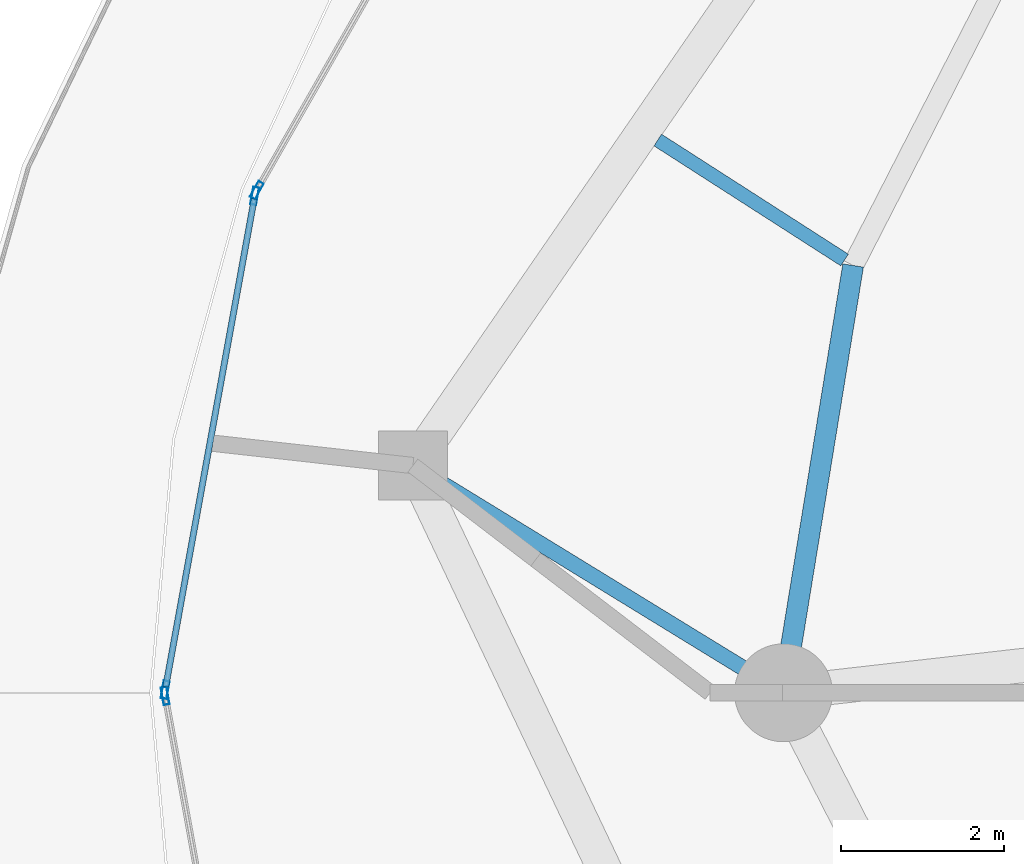
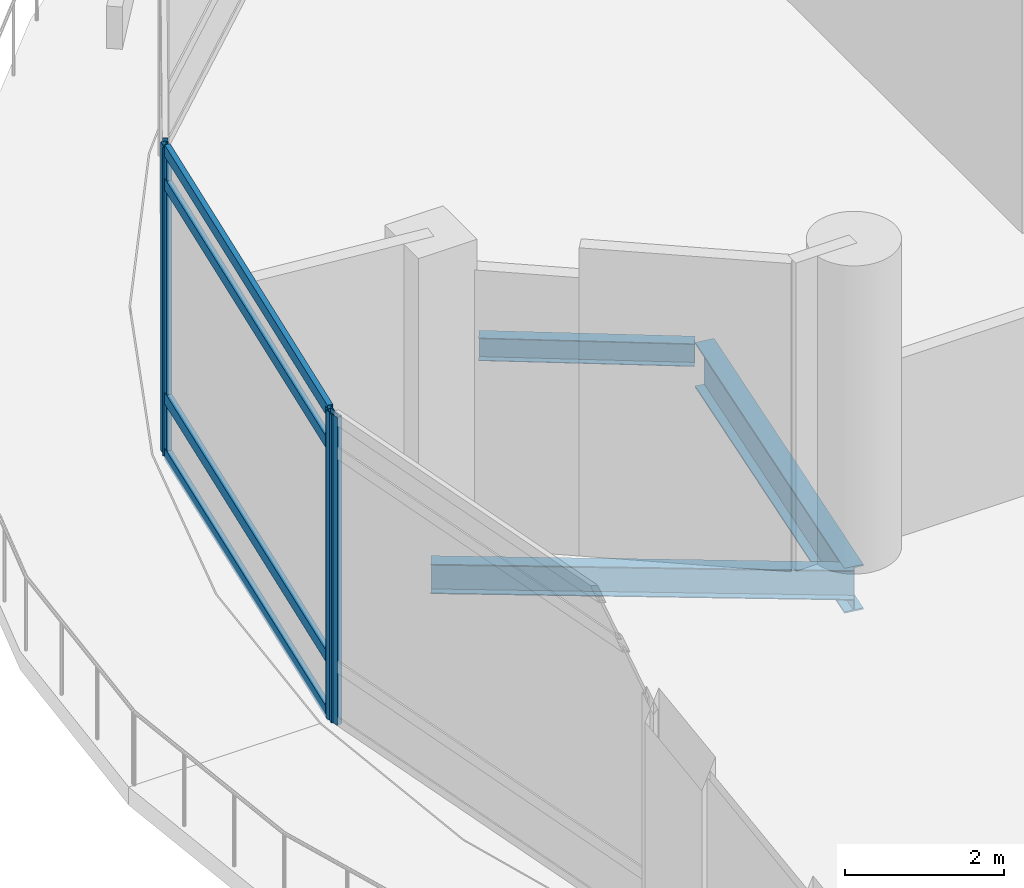
# One storey, part 9 of 34: 8 members, 3 beams, 3 elements without a shape of their own.
"""IFC4 building model written with IfcOpenShell, lengths in metres."""

from ifc_helpers import new_model, si_unit, direction, frame, origin, origin_2d, place, context, subcontext, project, spatial, hollow_rectangle, i_section, extrude, material, layer, layer_set, material_profile, profile_set, type_object, element, aggregate, save


model = new_model("IFC4")

# Units and contexts
model_context = context("Model", 3, precision=1e-05, world=origin(), true_north=direction((0.0, 1.0)))
body_context = subcontext(model_context, "Body", "Model", "MODEL_VIEW")
ifc_project = project(units=[si_unit("LENGTHUNIT", "METRE"), si_unit("AREAUNIT", "SQUARE_METRE"), si_unit("VOLUMEUNIT", "CUBIC_METRE"), si_unit("PLANEANGLEUNIT", "RADIAN"), si_unit("MASSUNIT", "GRAM", prefix="KILO")], contexts=[model_context])

# Site, building, storey
site_placement = place(None, origin())
site = spatial("IfcSite", under=ifc_project, at=site_placement, CompositionType="ELEMENT")
building_placement = place(site_placement, origin())
building = spatial("IfcBuilding", under=site, at=building_placement, Name="Nuhasar Tower", CompositionType="ELEMENT")
storey_placement = place(building_placement, frame((0.0, 0.0, 16.0)))
storey = spatial("IfcBuildingStorey", under=building, at=storey_placement, Name="L03", CompositionType="ELEMENT", Elevation=16.0)

# Beams
ifc_material_1 = material(Name="Steel S355", Category="steel")
ifc_material_profile_1 = material_profile(ifc_material_1, i_section(OverallWidth=0.1708984375, OverallDepth=0.35205078125, WebThickness=0.0068359375, FlangeThickness=0.009765625, at=origin_2d()), Name="W14X30")
ifc_profile_set_1 = profile_set([ifc_material_profile_1], Name="Steel S355")
beam_type_1 = type_object("IfcBeamType", Name="BM-JST-W14X30", PredefinedType="JOIST", material=ifc_profile_set_1)
beam_1_placement = place(storey_placement, frame((14.698974609375, 32.10791015625, -0.47607421875), z_axis=(-0.841446405515, 0.540340583934, 0.0), x_axis=(-0.540340583934, -0.841446405515, 0.0)))
element("IfcBeam", 1, at=beam_1_placement, inside=storey, type_object=beam_type_1, Name="L03 Podium Secondary Joist 14", PredefinedType="JOIST", context=body_context, shape_type="SweptSolid", body=[
    extrude(i_section(OverallWidth=0.1708984375, OverallDepth=0.35205078125, WebThickness=0.0068359375, FlangeThickness=0.009765625, at=origin_2d()), origin(), (0.0, 0.0, 1.0), 2.72265625),
])
ifc_material_profile_2 = material_profile(ifc_material_1, i_section(OverallWidth=0.18994140625, OverallDepth=0.45703125, WebThickness=0.009033203125, FlangeThickness=0.014404296875, at=origin_2d()), Name="W18X50")
ifc_profile_set_2 = profile_set([ifc_material_profile_2], Name="Steel S355")
beam_type_2 = type_object("IfcBeamType", Name="BM-RAD-W18X50", PredefinedType="BEAM", material=ifc_profile_set_2)
beam_2_placement = place(storey_placement, frame((13.949951171875, 26.800048828125, -0.529052734375), z_axis=(-0.852495272032, 0.522734933941, 0.0), x_axis=(-0.522734933941, -0.852495272032, 0.0)))
element("IfcBeam", 2, at=beam_2_placement, inside=storey, type_object=beam_type_2, Name="L03 Podium Radial Girder 08", PredefinedType="BEAM", context=body_context, shape_type="SweptSolid", body=[
    extrude(i_section(OverallWidth=0.18994140625, OverallDepth=0.45703125, WebThickness=0.009033203125, FlangeThickness=0.014404296875, at=origin_2d()), origin(), (0.0, 0.0, 1.0), 5.331298828125),
])
ifc_material_profile_3 = material_profile(ifc_material_1, i_section(OverallWidth=0.256103515625, OverallDepth=0.693115234375, WebThickness=0.014404296875, FlangeThickness=0.023681640625, at=origin_2d()), Name="W27X114")
ifc_profile_set_3 = profile_set([ifc_material_profile_3], Name="Steel S355")
beam_type_3 = type_object("IfcBeamType", Name="BM-RING-W27X114", PredefinedType="SPANDREL", material=ifc_profile_set_3)
beam_3_placement = place(storey_placement, frame((14.803955078125, 32.041015625, -0.64697265625), z_axis=(-0.160826635486, -0.986982671235, 0.0), x_axis=(0.986982671235, -0.160826635486, 0.0)))
element("IfcBeam", 3, at=beam_3_placement, inside=storey, type_object=beam_type_3, Name="L03 Mega-Column Perimeter Ring Spandrel 07-3", PredefinedType="SPANDREL", context=body_context, shape_type="SweptSolid", body=[
    extrude(i_section(OverallWidth=0.256103515625, OverallDepth=0.693115234375, WebThickness=0.014404296875, FlangeThickness=0.023681640625, at=origin_2d()), origin(), (0.0, 0.0, 1.0), 5.31005859375),
])

# Curtain wall, member
ifc_material_2 = material(Name="Aluminium 6063-T6", Category="aluminium")
ifc_layer = layer(ifc_material_2, 0.219970703125)
ifc_layer_set = layer_set([ifc_layer], Name="Aluminium 6063-T6")
curtain_wall_type = type_object("IfcCurtainWallType", Name="CW-PODIUM", PredefinedType="NOTDEFINED", material=ifc_layer_set)
curtain_wall_1_placement = place(storey_placement, origin())
curtain_wall_1 = element("IfcCurtainWall", 4, at=curtain_wall_1_placement, inside=storey, type_object=curtain_wall_type, Name="L03 Podium Curtain Wall Bay 11", PredefinedType="NOTDEFINED")
ifc_material_profile_4 = material_profile(ifc_material_2, hollow_rectangle(XDim=0.074951171875, YDim=0.219970703125, WallThickness=0.0048828125, at=origin_2d()), Name="CWM-1")
ifc_profile_set_4 = profile_set([ifc_material_profile_4], Name="Aluminium 6063-T6")
member_type_1 = type_object("IfcMemberType", Name="CW-MUL-S1", PredefinedType="MULLION", material=ifc_profile_set_4)
member_1_placement = place(storey_placement, frame((7.490478515625, 32.963623046875, 0.0), z_axis=(0.0, 0.0, 1.0), x_axis=(0.86851426961, -0.495664164011, 0.0)))
member_1 = element("IfcMember", 5, at=member_1_placement, type_object=member_type_1, Name="CW-P1 mullion 2", PredefinedType="MULLION", context=body_context, shape_type="SweptSolid", body=[
    extrude(hollow_rectangle(XDim=0.074951171875, YDim=0.219970703125, WallThickness=0.0048828125, at=origin_2d()), origin(), (0.0, 0.0, 1.0), 4.739990234375),
])
aggregate(curtain_wall_1, [member_1])

# Curtain wall, members
curtain_wall_2_placement = place(storey_placement, origin())
curtain_wall_2 = element("IfcCurtainWall", 6, at=curtain_wall_2_placement, inside=storey, type_object=curtain_wall_type, Name="L03 Podium Curtain Wall Bay 12", PredefinedType="NOTDEFINED")
member_2_placement = place(storey_placement, frame((7.46533203125, 32.89404296875, 0.0), z_axis=(0.0, 0.0, 1.0), x_axis=(0.983946852717, -0.178461735474, 0.0)))
member_2 = element("IfcMember", 7, at=member_2_placement, type_object=member_type_1, Name="CW-P1 mullion 1", PredefinedType="MULLION", context=body_context, shape_type="SweptSolid", body=[
    extrude(hollow_rectangle(XDim=0.074951171875, YDim=0.219970703125, WallThickness=0.0048828125, at=origin_2d()), origin(), (0.0, 0.0, 1.0), 4.739990234375),
])
member_3_placement = place(storey_placement, frame((6.36669921875, 26.8369140625, 0.0), z_axis=(0.0, 0.0, 1.0), x_axis=(0.983946852717, -0.178461735474, 0.0)))
member_3 = element("IfcMember", 8, at=member_3_placement, type_object=member_type_1, Name="CW-P1 mullion 2", PredefinedType="MULLION", context=body_context, shape_type="SweptSolid", body=[
    extrude(hollow_rectangle(XDim=0.074951171875, YDim=0.219970703125, WallThickness=0.0048828125, at=origin_2d()), origin(), (0.0, 0.0, 1.0), 4.739990234375),
])

# Curtain wall, member
curtain_wall_3_placement = place(storey_placement, origin())
curtain_wall_3 = element("IfcCurtainWall", 9, at=curtain_wall_3_placement, inside=storey, type_object=curtain_wall_type, Name="L03 Podium Curtain Wall Bay 13", PredefinedType="NOTDEFINED")
member_4_placement = place(storey_placement, frame((6.36669921875, 26.76318359375, 0.0), z_axis=(0.0, 0.0, 1.0), x_axis=(0.983946852717, 0.178461735474, 0.0)))
member_4 = element("IfcMember", 10, at=member_4_placement, type_object=member_type_1, Name="CW-P1 mullion 1", PredefinedType="MULLION", context=body_context, shape_type="SweptSolid", body=[
    extrude(hollow_rectangle(XDim=0.074951171875, YDim=0.219970703125, WallThickness=0.0048828125, at=origin_2d()), origin(), (0.0, 0.0, 1.0), 4.739990234375),
])
aggregate(curtain_wall_3, [member_4])

# Member
ifc_material_profile_5 = material_profile(ifc_material_2, hollow_rectangle(XDim=0.074951171875, YDim=0.179931640625, WallThickness=0.00439453125, at=origin_2d()), Name="CWT-1")
ifc_profile_set_5 = profile_set([ifc_material_profile_5], Name="Aluminium 6063-T6")
member_type_2 = type_object("IfcMemberType", Name="CW-TRN-S1", PredefinedType="USERDEFINED", material=ifc_profile_set_5)
member_5_placement = place(storey_placement, frame((7.45849609375, 32.857177734375, 0.03759765625), z_axis=(-0.178457925253, -0.983947543782, 0.0), x_axis=(0.983947543782, -0.178457925253, 0.0)))
member_5 = element("IfcMember", 11, at=member_5_placement, type_object=member_type_2, Name="CW-P1 transom 1.1", ObjectType="TRANSOM", PredefinedType="USERDEFINED", context=body_context, shape_type="SweptSolid", body=[
    extrude(hollow_rectangle(XDim=0.074951171875, YDim=0.179931640625, WallThickness=0.00439453125, at=origin_2d()), origin(), (0.0, 0.0, 1.0), 6.0810546875),
])

member_6_placement = place(storey_placement, frame((7.45849609375, 32.857177734375, 0.89990234375), z_axis=(-0.178457925253, -0.983947543782, 0.0), x_axis=(0.983947543782, -0.178457925253, 0.0)))
member_6 = element("IfcMember", 12, at=member_6_placement, type_object=member_type_2, Name="CW-P1 transom 1.2", ObjectType="TRANSOM", PredefinedType="USERDEFINED", context=body_context, shape_type="SweptSolid", body=[
    extrude(hollow_rectangle(XDim=0.074951171875, YDim=0.179931640625, WallThickness=0.00439453125, at=origin_2d()), origin(), (0.0, 0.0, 1.0), 6.0810546875),
])

member_7_placement = place(storey_placement, frame((7.45849609375, 32.857177734375, 4.18994140625), z_axis=(-0.178457925253, -0.983947543782, 0.0), x_axis=(0.983947543782, -0.178457925253, 0.0)))
member_7 = element("IfcMember", 13, at=member_7_placement, type_object=member_type_2, Name="CW-P1 transom 1.3", ObjectType="TRANSOM", PredefinedType="USERDEFINED", context=body_context, shape_type="SweptSolid", body=[
    extrude(hollow_rectangle(XDim=0.074951171875, YDim=0.179931640625, WallThickness=0.00439453125, at=origin_2d()), origin(), (0.0, 0.0, 1.0), 6.0810546875),
])

member_8_placement = place(storey_placement, frame((7.45849609375, 32.857177734375, 4.702392578125), z_axis=(-0.178457925253, -0.983947543782, 0.0), x_axis=(0.983947543782, -0.178457925253, 0.0)))
member_8 = element("IfcMember", 14, at=member_8_placement, type_object=member_type_2, Name="CW-P1 transom 1.4", ObjectType="TRANSOM", PredefinedType="USERDEFINED", context=body_context, shape_type="SweptSolid", body=[
    extrude(hollow_rectangle(XDim=0.074951171875, YDim=0.179931640625, WallThickness=0.00439453125, at=origin_2d()), origin(), (0.0, 0.0, 1.0), 6.0810546875),
])

aggregate(curtain_wall_2, [member_2, member_3, member_5, member_6, member_7, member_8])

save(model, "model.ifc")
